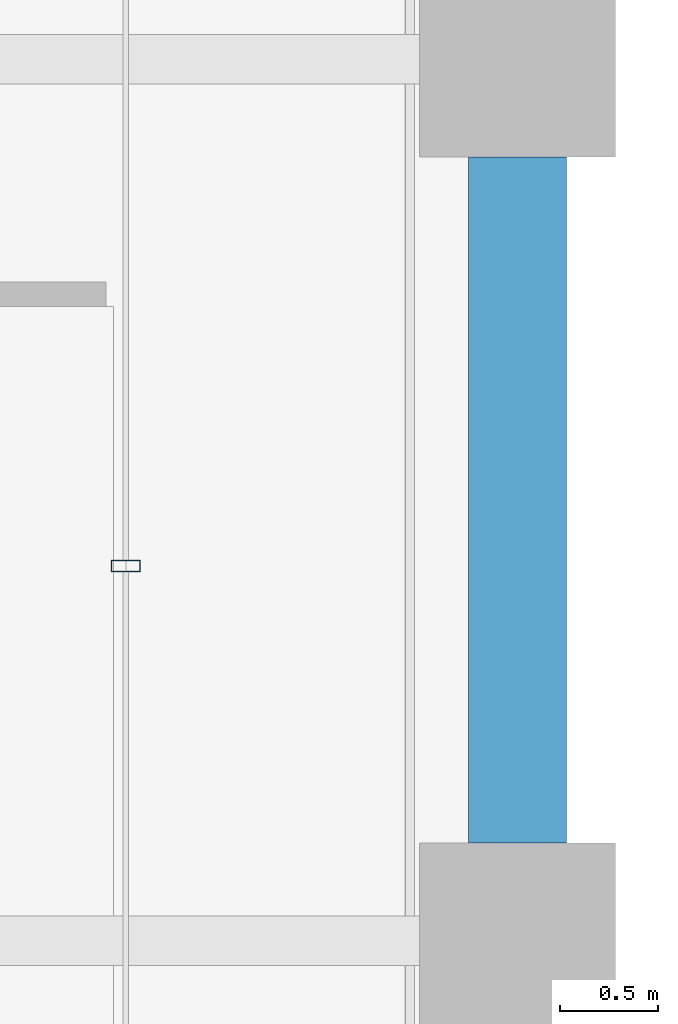
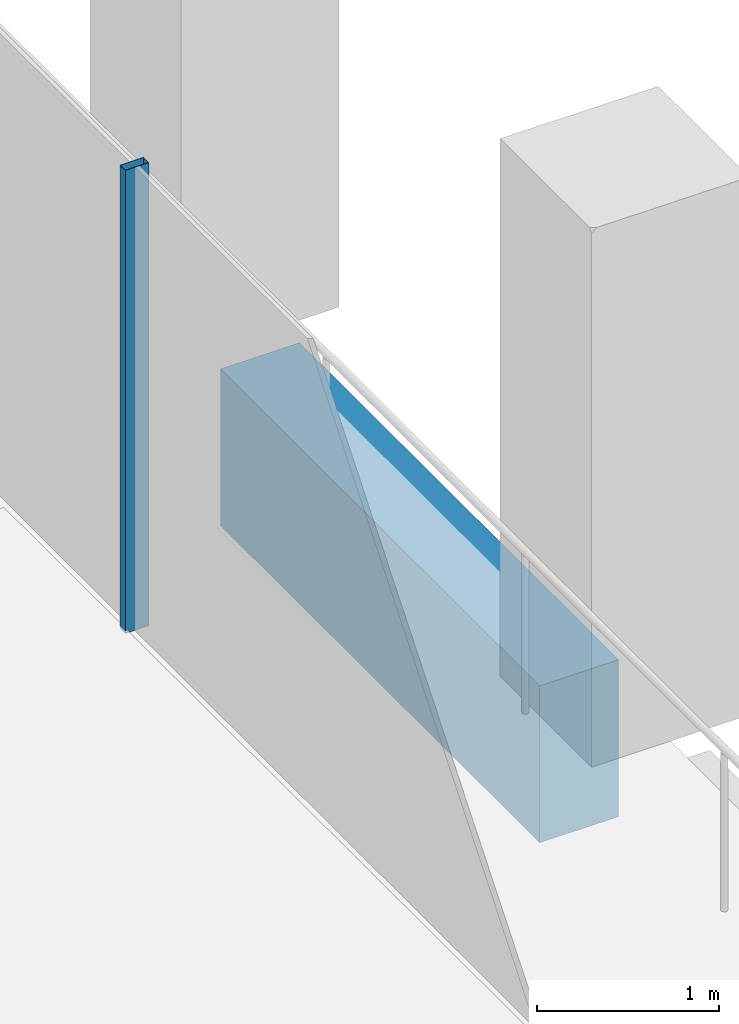
# One storey, part 17 of 46: 1 beam, 1 member, 1 element without a shape of its own.
"""IFC4 building model written with IfcOpenShell, lengths in metres."""

from ifc_helpers import new_model, si_unit, direction, frame, origin, origin_2d, place, context, subcontext, project, spatial, rectangle, hollow_rectangle, extrude, material, material_profile, profile_set, type_object, element, aggregate, save


model = new_model("IFC4")

# Units and contexts
model_context = context("Model", 3, precision=1e-05, world=origin(), true_north=direction((0.0, 1.0)))
body_context = subcontext(model_context, "Body", "Model", "MODEL_VIEW")
ifc_project = project(units=[si_unit("LENGTHUNIT", "METRE"), si_unit("AREAUNIT", "SQUARE_METRE"), si_unit("VOLUMEUNIT", "CUBIC_METRE"), si_unit("PLANEANGLEUNIT", "RADIAN"), si_unit("MASSUNIT", "GRAM", prefix="KILO")], contexts=[model_context])

# Site, building, storey
site_placement = place(None, origin())
site = spatial("IfcSite", under=ifc_project, at=site_placement, CompositionType="ELEMENT")
building_placement = place(site_placement, origin())
building = spatial("IfcBuilding", under=site, at=building_placement, Name="Altepetl Exchange Towers", CompositionType="ELEMENT")
storey_placement = place(building_placement, frame((0.0, 0.0, 128.0)))
storey = spatial("IfcBuildingStorey", under=building, at=storey_placement, Name="L31", CompositionType="ELEMENT", Elevation=128.0)

# Curtain wall, member
ifc_material_1 = material(Name="Aluminium 6063-T6 glazing", Category="aluminium")
curtain_wall_type = type_object("IfcCurtainWallType", Name="Loggia glazing system", PredefinedType="NOTDEFINED", material=ifc_material_1)
curtain_wall_placement = place(storey_placement, origin())
curtain_wall = element("IfcCurtainWall", 1, at=curtain_wall_placement, inside=storey, type_object=curtain_wall_type, Name="CW1 run", PredefinedType="NOTDEFINED")
ifc_material_2 = material(Name="Aluminium 6063-T6", Category="aluminium")
ifc_material_profile_1 = material_profile(ifc_material_2, hollow_rectangle(XDim=0.06005859375, YDim=0.14990234375, WallThickness=0.0029296875, at=origin_2d()), Name="Mullion 60x150 aluminium")
ifc_profile_set_1 = profile_set([ifc_material_profile_1], Name="Aluminium 6063-T6")
member_type = type_object("IfcMemberType", Name="Mullion 60x150 aluminium", PredefinedType="MULLION", material=ifc_profile_set_1)
member_placement = place(storey_placement, frame((70.0, 46.9130859375, 0.0), z_axis=(0.0, 0.0, 1.0), x_axis=(0.0, 1.0, 0.0)))
member = element("IfcMember", 2, at=member_placement, type_object=member_type, Name="MU1 mullion", PredefinedType="MULLION", context=body_context, shape_type="SweptSolid", body=[
    extrude(hollow_rectangle(XDim=0.06005859375, YDim=0.14990234375, WallThickness=0.0029296875, at=origin_2d()), origin(), (0.0, 0.0, 1.0), 3.10009765625),
])
aggregate(curtain_wall, [member])

# Beam
ifc_material_3 = material(Name="Concrete C50/60 precast with cantera amarilla facing", Category="concrete")
ifc_material_profile_2 = material_profile(ifc_material_3, rectangle(XDim=0.5, YDim=1.050048828125, at=origin_2d()), Name="500 x 1050")
ifc_profile_set_2 = profile_set([ifc_material_profile_2], Name="Concrete C50/60 precast with cantera amarilla facing")
beam_type = type_object("IfcBeamType", Name="Spandrel beam 500x1050 cantera amarilla", PredefinedType="SPANDREL", material=ifc_profile_set_2)
beam_placement = place(storey_placement, frame((72.0, 45.5, -0.675048828125), z_axis=(0.0, 1.0, 0.0), x_axis=(-1.0, 0.0, 0.0)))
element("IfcBeam", 3, at=beam_placement, inside=storey, type_object=beam_type, Name="sp:A:L31:015", PredefinedType="SPANDREL", context=body_context, shape_type="SweptSolid", body=[
    extrude(rectangle(XDim=0.5, YDim=1.050048828125, at=origin_2d()), origin(), (0.0, 0.0, 1.0), 3.5),
])

save(model, "model.ifc")
